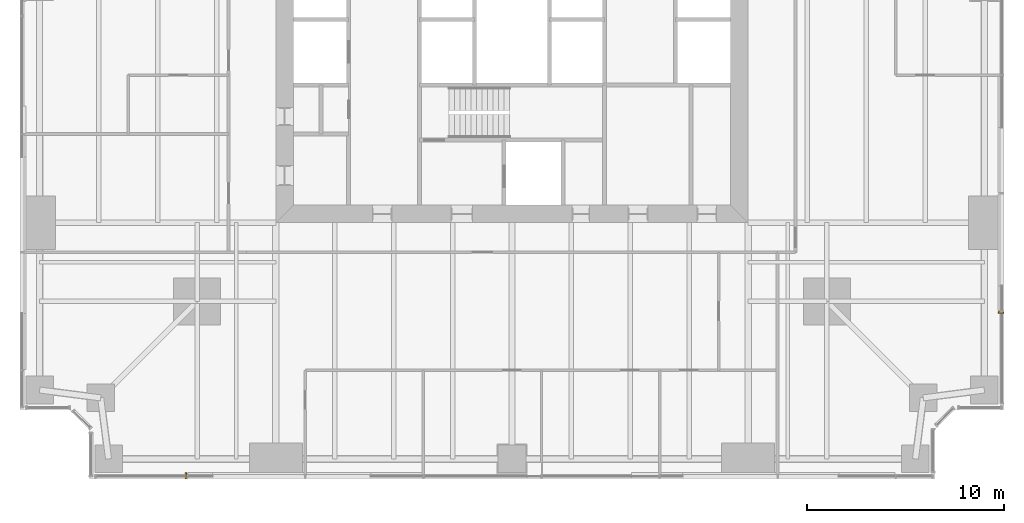
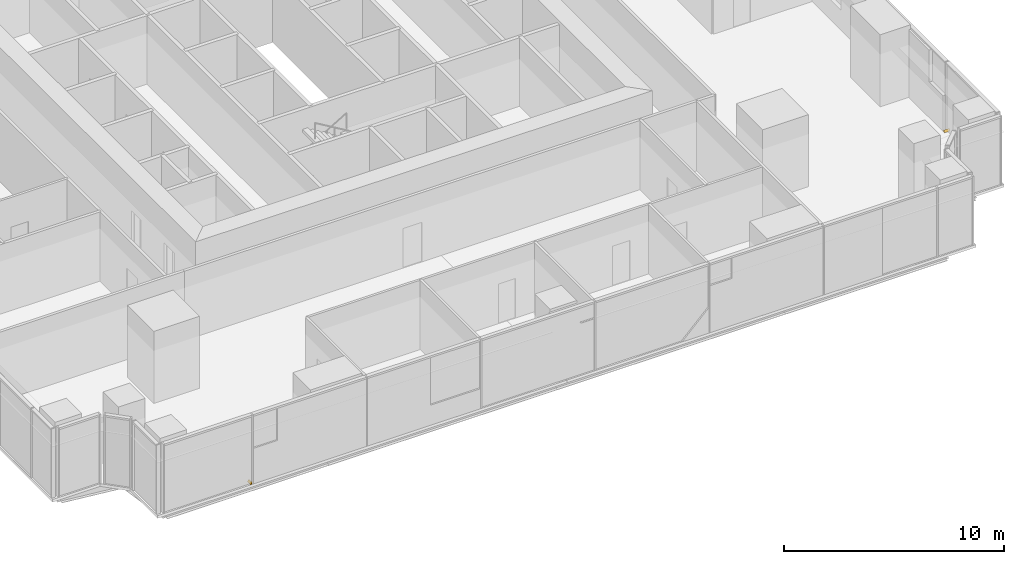
# One storey, part 15 of 16: 2 coverings.
"""IFC4 building model written with IfcOpenShell, lengths in metres."""

import ifcopenshell
import ifcopenshell.guid

model = None  # the IFC model being written
_history = None  # IfcOwnerHistory: only IFC2X3 demands one
_inside = {}  # id of a spatial element -> (the spatial element, [elements in it])
_under = {}  # id of a project, library or spatial element -> (it, [spatial elements below it])
_declared = {}  # id of a project -> (the project, [libraries it declares])
_typed = {}  # id of a type object -> (the type object, [elements of that type])
_made_of = {}  # id of a material, layer set ... -> (it, [elements and type objects made of it])


def new_model(schema):
    """Start an empty IFC model of exactly this schema.

    Asked for "IFC4X3", IfcOpenShell would pick the latest addendum, in which some entities
    have other attributes; the version numbers below select the first issue.
    IFC2X3 requires an IfcOwnerHistory on every rooted entity: one is made here for all.
    """
    global model, _history
    if schema == "IFC4X3":
        model = ifcopenshell.file(schema_version=(4, 3, 0, 0))
    else:
        model = ifcopenshell.file(schema=schema)
    _inside.clear()
    _under.clear()
    _declared.clear()
    _typed.clear()
    _made_of.clear()
    _history = None
    if model.schema == "IFC2X3":
        org = make("IfcOrganization", Name="unknown")
        user = make(
            "IfcPersonAndOrganization",
            ThePerson=make("IfcPerson", FamilyName="unknown"),
            TheOrganization=org,
        )
        app = make(
            "IfcApplication",
            ApplicationDeveloper=org,
            Version="unknown",
            ApplicationFullName="unknown",
            ApplicationIdentifier="unknown",
        )
        _history = make(
            "IfcOwnerHistory",
            OwningUser=user,
            OwningApplication=app,
            ChangeAction="ADDED",
            CreationDate=0,
        )
    return model


def make(cls, **values):
    """One entity of the class cls with the attributes given. An attribute that is None is left unset."""
    return model.create_entity(
        cls, **{name: value for name, value in values.items() if value is not None}
    )


def rooted(cls, **values):
    """An entity with a GlobalId (a new one), such as an element, a storey or a relation."""
    return make(cls, GlobalId=ifcopenshell.guid.new(), OwnerHistory=_history, **values)


def si_unit(unit_type, name, prefix=None):
    """IfcSIUnit, for example si_unit("LENGTHUNIT", "METRE", prefix="MILLI")."""
    return make("IfcSIUnit", UnitType=unit_type, Prefix=prefix, Name=name)


def assignment(units):
    """IfcUnitAssignment: the units of a project."""
    return None if units is None else make("IfcUnitAssignment", Units=units)


def point(xyz):
    """IfcCartesianPoint."""
    return None if xyz is None else make("IfcCartesianPoint", Coordinates=xyz)


def direction(xyz):
    """IfcDirection."""
    return None if xyz is None else make("IfcDirection", DirectionRatios=xyz)


def frame(location, z_axis=None, x_axis=None):
    """IfcAxis2Placement3D, a coordinate frame: its origin and axes. An axis left out is left unset."""
    return make(
        "IfcAxis2Placement3D",
        Location=point(location),
        Axis=direction(z_axis),
        RefDirection=direction(x_axis),
    )


def origin():
    """The frame at (0, 0, 0) with its axes left unset."""
    return frame((0.0, 0.0, 0.0))


def place(relative_to, where):
    """IfcLocalPlacement: puts the frame where relative to a parent placement (None: the world)."""
    return make(
        "IfcLocalPlacement", PlacementRelTo=relative_to, RelativePlacement=where
    )


def context(
    kind, dimensions, precision=None, world=None, true_north=None, identifier=None
):
    """IfcGeometricRepresentationContext, for example the 3D "Model" context."""
    return make(
        "IfcGeometricRepresentationContext",
        ContextIdentifier=identifier,
        ContextType=kind,
        CoordinateSpaceDimension=dimensions,
        Precision=precision,
        WorldCoordinateSystem=world,
        TrueNorth=true_north,
    )


def subcontext(parent, identifier, kind, view, scale=None):
    """IfcGeometricRepresentationSubContext, for example "Body" below "Model"."""
    return make(
        "IfcGeometricRepresentationSubContext",
        ContextIdentifier=identifier,
        ContextType=kind,
        ParentContext=parent,
        TargetScale=scale,
        TargetView=view,
    )


def project(units=None, contexts=None):
    """IfcProject with its units and contexts."""
    return rooted(
        "IfcProject",
        Name="project",
        RepresentationContexts=contexts,
        UnitsInContext=assignment(units),
    )


def spatial(cls, under=None, at=None, **own):
    """A site, building, storey or space (cls), placed at a placement, below another one or the project."""
    s = rooted(cls, ObjectPlacement=at, **own)
    if under is not None:
        _under.setdefault(under.id(), (under, []))[1].append(s)
    return s


def polyline(points):
    """IfcPolyline through the points."""
    return make("IfcPolyline", Points=[point(p) for p in points])


def outline(outer, holes=None, kind="AREA"):
    """IfcArbitraryClosedProfileDef: a profile drawn as a closed curve; with holes, ...WithVoids."""
    if holes is None:
        return make("IfcArbitraryClosedProfileDef", ProfileType=kind, OuterCurve=outer)
    return make(
        "IfcArbitraryProfileDefWithVoids",
        ProfileType=kind,
        OuterCurve=outer,
        InnerCurves=holes,
    )


def extrude(swept, where, along, depth):
    """IfcExtrudedAreaSolid: the profile swept, set in the frame where, extruded along a direction by depth."""
    return make(
        "IfcExtrudedAreaSolid",
        SweptArea=swept,
        Position=where,
        ExtrudedDirection=direction(along),
        Depth=depth,
    )


def shape(context_of_items, identifier, shape_type, items):
    """IfcShapeRepresentation: the items that make up one representation, for example the "Body"."""
    return make(
        "IfcShapeRepresentation",
        ContextOfItems=context_of_items,
        RepresentationIdentifier=identifier,
        RepresentationType=shape_type,
        Items=items,
    )


def material(Name=None, Category=None):
    """IfcMaterial."""
    return make("IfcMaterial", Name=Name, Category=Category)


def layer(
    of_material, thickness, ventilated=None, Name=None, Category=None, Priority=None
):
    """IfcMaterialLayer: one layer of a wall or slab, of a material (None: an air gap)."""
    return make(
        "IfcMaterialLayer",
        Material=of_material,
        LayerThickness=thickness,
        IsVentilated=ventilated,
        Name=Name,
        Category=Category,
        Priority=Priority,
    )


def layer_set(layers, Name=None):
    """IfcMaterialLayerSet."""
    return make("IfcMaterialLayerSet", MaterialLayers=layers, LayerSetName=Name)


def made_of(thing, what):
    """Note that an element or type object is made of a material, layer set ...; save() writes the relation."""
    if what is not None:
        _made_of.setdefault(what.id(), (what, []))[1].append(thing)
    return thing


def type_object(cls, material=None, **own):
    """A type object (cls), such as IfcWallType, which elements share."""
    return made_of(rooted(cls, **own), material)


def element(
    cls,
    number,
    at=None,
    inside=None,
    cuts=None,
    type_object=None,
    material=None,
    context=None,
    identifier="Body",
    shape_type=None,
    held_by="IfcProductDefinitionShape",
    body=None,
    shapes=None,
    **own,
):
    """One element of the class cls, such as IfcWall. Its Tag is "e" and its number.

    at: its placement. inside: the storey or other place that contains it. cuts: it is an
    opening in that element (IfcRelVoidsElement). A single representation is given by context,
    identifier, shape_type and body (its items); several are given by shapes. held_by: the class
    of the entity that holds the representations. save() writes the other relations.
    """
    e = rooted(cls, Tag="e%d" % number, ObjectPlacement=at, **own)
    if body is not None:
        shapes = [shape(context, identifier, shape_type, body)]
    if shapes is not None:
        e.Representation = make(held_by, Representations=shapes)
    if inside is not None:
        _inside.setdefault(inside.id(), (inside, []))[1].append(e)
    if cuts is not None:
        rooted(
            "IfcRelVoidsElement", RelatingBuildingElement=cuts, RelatedOpeningElement=e
        )
    if type_object is not None:
        _typed.setdefault(type_object.id(), (type_object, []))[1].append(e)
    return made_of(e, material)


def aggregate(whole, parts):
    """IfcRelAggregates: a whole, such as a stair, and the parts it consists of."""
    return rooted("IfcRelAggregates", RelatingObject=whole, RelatedObjects=parts)


def save(model, path):
    """Write the relations noted so far, then the file.

    IfcRelAggregates (storeys below a building ...), IfcRelContainedInSpatialStructure (elements
    in a storey), IfcRelDefinesByType, IfcRelAssociatesMaterial and IfcRelDeclares: one each for
    every whole, place, type object, material and project.
    """
    for whole, parts in _under.values():
        aggregate(whole, parts)
    for where, things in _inside.values():
        rooted(
            "IfcRelContainedInSpatialStructure",
            RelatedElements=things,
            RelatingStructure=where,
        )
    for kind, things in _typed.values():
        rooted("IfcRelDefinesByType", RelatedObjects=things, RelatingType=kind)
    for what, things in _made_of.values():
        rooted("IfcRelAssociatesMaterial", RelatedObjects=things, RelatingMaterial=what)
    for by, libraries in _declared.values():
        rooted("IfcRelDeclares", RelatingContext=by, RelatedDefinitions=libraries)
    model.write(path)


model = new_model("IFC4")

# Units and contexts
model_context = context("Model", 3, precision=1e-05, world=origin(), true_north=direction((0.0, 1.0)))
body_context = subcontext(model_context, "Body", "Model", "MODEL_VIEW")
ifc_project = project(units=[si_unit("LENGTHUNIT", "METRE"), si_unit("AREAUNIT", "SQUARE_METRE"), si_unit("VOLUMEUNIT", "CUBIC_METRE"), si_unit("PLANEANGLEUNIT", "RADIAN"), si_unit("MASSUNIT", "GRAM", prefix="KILO")], contexts=[model_context])

# Site, building, storey
site_placement = place(None, origin())
site = spatial("IfcSite", under=ifc_project, at=site_placement, CompositionType="ELEMENT")
building_placement = place(site_placement, origin())
building = spatial("IfcBuilding", under=site, at=building_placement, Name="Fenwick Lantern Interchange", CompositionType="ELEMENT")
storey_placement = place(building_placement, frame((0.0, 0.0, 75.0)))
storey = spatial("IfcBuildingStorey", under=building, at=storey_placement, Name="L17", CompositionType="ELEMENT", Elevation=75.0)

# Coverings
ifc_material = material(Name="Granite cladding, warm grey flamed finish, on aluminium carrier frame", Category="masonry")
ifc_layer = layer(ifc_material, 0.300048828125)
ifc_layer_set = layer_set([ifc_layer], Name="BRACE CASING PANEL 300")
covering_type = type_object("IfcCoveringType", Name="BRACE CASING PANEL 300", PredefinedType="CLADDING", material=ifc_layer_set)
for number, where, z_axis, x_axis, name in (
    (1, (3.60009765625, 0.10009765625, 0.0), (0.0, 0.0, 1.0), (1.0, 0.0, 0.0), "Brace casing 01 bay 00a"),
    (2, (49.89990234375, 3.60009765625, 0.0), (0.0, 0.0, 1.0), (0.0, 1.0, 0.0), "Brace casing 05 bay 00a"),
):
    element("IfcCovering", number, at=place(storey_placement, frame(where, z_axis=z_axis, x_axis=x_axis)), inside=storey, type_object=covering_type, Name=name, PredefinedType="CLADDING", context=body_context, shape_type="SweptSolid", body=[
        extrude(outline(polyline([(4.7900390625, 0.0), (4.867431640625, 0.0), (4.867431640625, 0.109375), (4.7900390625, 0.0)])), frame((0.0, 0.2001953125, 0.0), z_axis=(0.0, -1.0, 0.0), x_axis=(1.0, 0.0, 0.0)), (0.0, 0.0, 1.0), 0.300048828125),
    ])

save(model, "model.ifc")
